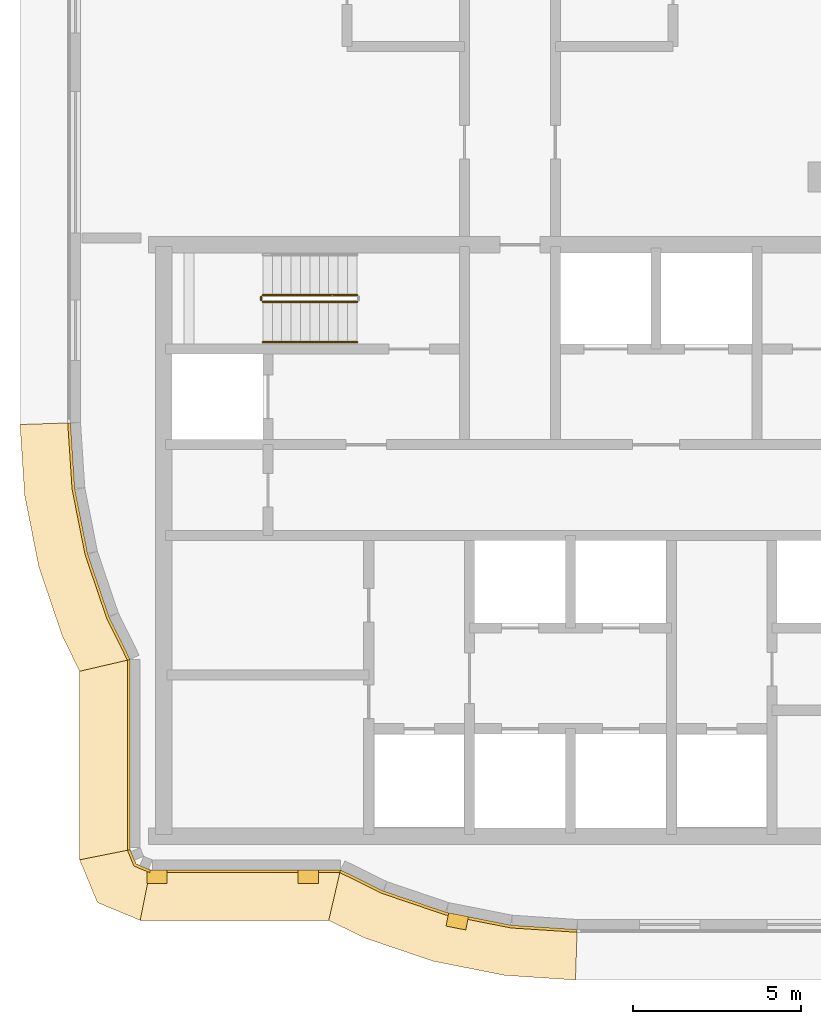
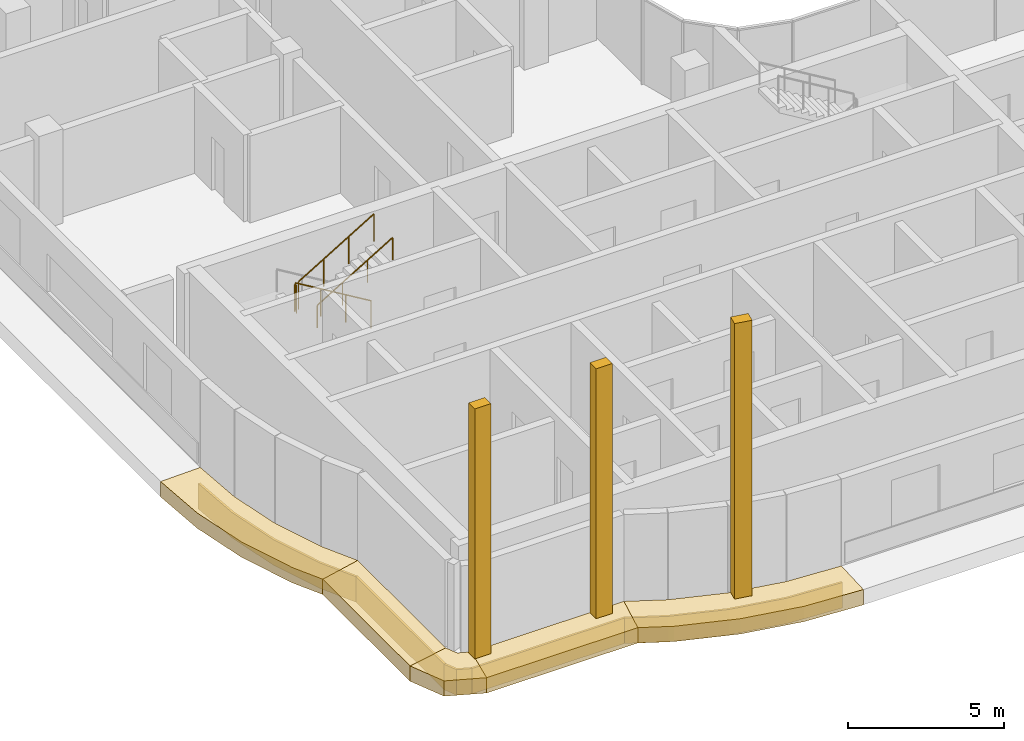
# One storey, part 15 of 20: 13 coverings, 4 railings.
"""IFC4 building model written with IfcOpenShell, lengths in metres."""

from ifc_helpers import new_model, si_unit, direction, frame, origin, origin_2d, place, context, subcontext, project, spatial, polyline, rectangle, circle, outline, extrude, material, layer, layer_set, type_object, element, save


model = new_model("IFC4")

# Units and contexts
model_context = context("Model", 3, precision=1e-05, world=origin(), true_north=direction((0.0, 1.0)))
body_context = subcontext(model_context, "Body", "Model", "MODEL_VIEW")
ifc_project = project(units=[si_unit("LENGTHUNIT", "METRE"), si_unit("AREAUNIT", "SQUARE_METRE"), si_unit("VOLUMEUNIT", "CUBIC_METRE"), si_unit("PLANEANGLEUNIT", "RADIAN"), si_unit("MASSUNIT", "GRAM", prefix="KILO")], contexts=[model_context])

# Site, building, storey
site_placement = place(None, origin())
site = spatial("IfcSite", under=ifc_project, at=site_placement, CompositionType="ELEMENT")
building_placement = place(site_placement, origin())
building = spatial("IfcBuilding", under=site, at=building_placement, Name="Ogive Portal Towers", CompositionType="ELEMENT")
storey_placement = place(building_placement, frame((0.0, 0.0, 232.800048828125)))
storey = spatial("IfcBuildingStorey", under=building, at=storey_placement, Name="L58", CompositionType="ELEMENT", Elevation=232.800048828125)

# Railings
ifc_material_1 = material(Name="Stainless steel balustrade", Category="steel")
railing_type_1 = type_object("IfcRailingType", Name="INT-GUARD", PredefinedType="GUARDRAIL", material=ifc_material_1)
railing_1_placement = place(storey_placement, frame((37.449951171875, 37.800048828125, 0.168212890625)))
element("IfcRailing", 1, at=railing_1_placement, inside=storey, type_object=railing_type_1, Name="L58 ST-A1 stair guard 1", PredefinedType="GUARDRAIL", context=body_context, shape_type="SweptSolid", body=[
    extrude(circle(Radius=0.02392578125, at=origin_2d()), frame((0.0, 0.0, 1.076171875), z_axis=(-0.857275202839, 0.0, 0.514858452973), x_axis=(0.0, -1.0, 0.0)), (0.0, 0.0, 1.0), 3.26611328125),
    extrude(circle(Radius=0.02099609375, at=origin_2d()), origin(), (0.0, 0.0, 1.0), 1.052001953125),
    extrude(circle(Radius=0.02099609375, at=origin_2d()), frame((-0.933349609375, 0.0, 0.560546875)), (0.0, 0.0, 1.0), 1.052001953125),
    extrude(circle(Radius=0.02099609375, at=origin_2d()), frame((-1.86669921875, 0.0, 1.12109375)), (0.0, 0.0, 1.0), 1.052001953125),
    extrude(circle(Radius=0.02099609375, at=origin_2d()), frame((-2.800048828125, 0.0, 1.681640625)), (0.0, 0.0, 1.0), 1.052001953125),
])
railing_2_placement = place(storey_placement, frame((34.60009765625, 37.75, 1.849853515625)))
element("IfcRailing", 2, at=railing_2_placement, inside=storey, type_object=railing_type_1, Name="L58 ST-A1 stair guard 2", PredefinedType="GUARDRAIL", context=body_context, shape_type="SweptSolid", body=[
    extrude(circle(Radius=0.02392578125, at=origin_2d()), frame((0.0, 0.0, 1.076171875), z_axis=(0.0, -1.0, 0.0), x_axis=(1.0, 0.0, 0.0)), (0.0, 0.0, 1.0), 0.10009765625),
    extrude(circle(Radius=0.02099609375, at=origin_2d()), origin(), (0.0, 0.0, 1.0), 1.052001953125),
    extrude(circle(Radius=0.02099609375, at=origin_2d()), frame((0.0, -0.10009765625, 0.0)), (0.0, 0.0, 1.0), 1.052001953125),
])
railing_3_placement = place(storey_placement, frame((34.64990234375, 37.60009765625, 2.01806640625)))
element("IfcRailing", 3, at=railing_3_placement, inside=storey, type_object=railing_type_1, Name="L58 ST-A1 stair guard 3", PredefinedType="GUARDRAIL", context=body_context, shape_type="SweptSolid", body=[
    extrude(circle(Radius=0.02392578125, at=origin_2d()), frame((0.0, 0.0, 1.076171875), z_axis=(0.857242210791, 0.0, 0.514913383045), x_axis=(0.0, 1.0, 0.0)), (0.0, 0.0, 1.0), 3.266357421875),
    extrude(circle(Radius=0.02099609375, at=origin_2d()), origin(), (0.0, 0.0, 1.0), 1.052001953125),
    extrude(circle(Radius=0.02099609375, at=origin_2d()), frame((0.933349609375, 0.0, 0.560546875)), (0.0, 0.0, 1.0), 1.052001953125),
    extrude(circle(Radius=0.02099609375, at=origin_2d()), frame((1.86669921875, 0.0, 1.121337890625)), (0.0, 0.0, 1.0), 1.052001953125),
    extrude(circle(Radius=0.02099609375, at=origin_2d()), frame((2.800048828125, 0.0, 1.681884765625)), (0.0, 0.0, 1.0), 1.052001953125),
])
ifc_material_2 = material(Name="Stainless steel handrail", Category="steel")
railing_type_2 = type_object("IfcRailingType", Name="INT-HANDRAIL", PredefinedType="HANDRAIL", material=ifc_material_2)
railing_4_placement = place(storey_placement, frame((34.64990234375, 36.39990234375, 2.01806640625)))
element("IfcRailing", 4, at=railing_4_placement, inside=storey, type_object=railing_type_2, Name="L58 ST-A1 stair handrail 2", PredefinedType="HANDRAIL", context=body_context, shape_type="SweptSolid", body=[
    extrude(circle(Radius=0.02392578125, at=origin_2d()), frame((0.0, 0.0, 0.8759765625), z_axis=(0.857242210791, 0.0, 0.514913383045), x_axis=(0.0, 1.0, 0.0)), (0.0, 0.0, 1.0), 3.266357421875),
    extrude(circle(Radius=0.02099609375, at=origin_2d()), origin(), (0.0, 0.0, 1.0), 0.851806640625),
    extrude(circle(Radius=0.02099609375, at=origin_2d()), frame((0.933349609375, 0.0, 0.560546875)), (0.0, 0.0, 1.0), 0.851806640625),
    extrude(circle(Radius=0.02099609375, at=origin_2d()), frame((1.86669921875, 0.0, 1.121337890625)), (0.0, 0.0, 1.0), 0.851806640625),
    extrude(circle(Radius=0.02099609375, at=origin_2d()), frame((2.800048828125, 0.0, 1.681884765625)), (0.0, 0.0, 1.0), 0.851806640625),
])

# Coverings
ifc_material_3 = material(Name="Limestone cladding on lightweight block wall", Category="masonry")
ifc_layer_1 = layer(ifc_material_3, 0.39990234375)
ifc_layer_set_1 = layer_set([ifc_layer_1], Name="SPINE PIER STONE")
covering_type_1 = type_object("IfcCoveringType", Name="SPINE PIER STONE", PredefinedType="CLADDING", material=ifc_layer_set_1)
for number, where, z_axis, x_axis, name in (
    (5, (31.5, 20.5, 0.0), (0.0, 0.0, 1.0), (1.0, 0.0, 0.0), "SPINE PIER"),
    (6, (36.0, 20.5, 0.0), (0.0, 0.0, 1.0), (1.0, 0.0, 0.0), "SPINE PIER"),
):
    element("IfcCovering", number, at=place(storey_placement, frame(where, z_axis=z_axis, x_axis=x_axis)), inside=storey, type_object=covering_type_1, Name=name, PredefinedType="CLADDING", context=body_context, shape_type="SweptSolid", body=[
        extrude(rectangle(XDim=0.60009765625, YDim=0.39990234375, at=origin_2d()), origin(), (0.0, 0.0, 1.0), 9.800048828125),
    ])
covering_1_placement = place(storey_placement, frame((40.431640625, 19.16845703125, 0.0), z_axis=(0.0, 0.0, 1.0), x_axis=(0.980785280403, -0.195090322016, 0.0)))
element("IfcCovering", 7, at=covering_1_placement, inside=storey, type_object=covering_type_1, Name="SPINE PIER", PredefinedType="CLADDING", context=body_context, shape_type="SweptSolid", body=[
    extrude(rectangle(XDim=0.60009765625, YDim=0.39990234375, at=origin_2d()), origin(), (0.0, 0.0, 1.0), 10.800048828125),
])
ifc_layer_2 = layer(ifc_material_3, 0.080078125)
ifc_layer_set_2 = layer_set([ifc_layer_2], Name="STONE SPANDREL 80")
covering_type_2 = type_object("IfcCoveringType", Name="STONE SPANDREL 80", PredefinedType="CLADDING", material=ifc_layer_set_2)
covering_2_placement = place(storey_placement, frame((0.0, 0.0, -1.60009765625)))
element("IfcCovering", 8, at=covering_2_placement, inside=storey, type_object=covering_type_2, Name="Stone spandrel A1-F01", PredefinedType="CLADDING", context=body_context, shape_type="SweptSolid", body=[
    extrude(outline(polyline([(30.699951171875, 26.958740234375), (30.699951171875, 21.300048828125), (30.6201171875, 21.2841796875), (30.6201171875, 26.93994140625), (30.699951171875, 26.958740234375)])), origin(), (0.0, 0.0, 1.0), 1.0),
])
covering_3_placement = place(storey_placement, frame((0.0, 0.0, -1.60009765625)))
element("IfcCovering", 9, at=covering_3_placement, inside=storey, type_object=covering_type_2, Name="Stone spandrel A1-F02", PredefinedType="CLADDING", context=body_context, shape_type="SweptSolid", body=[
    extrude(outline(polyline([(30.699951171875, 21.300048828125), (30.875732421875, 20.875732421875), (31.300048828125, 20.699951171875), (31.2841796875, 20.6201171875), (30.814453125, 20.814453125), (30.6201171875, 21.2841796875), (30.699951171875, 21.300048828125)])), origin(), (0.0, 0.0, 1.0), 1.0),
])
covering_4_placement = place(storey_placement, frame((0.0, 0.0, -1.60009765625)))
element("IfcCovering", 10, at=covering_4_placement, inside=storey, type_object=covering_type_2, Name="Stone spandrel A1-F03", PredefinedType="CLADDING", context=body_context, shape_type="SweptSolid", body=[
    extrude(outline(polyline([(31.300048828125, 20.699951171875), (36.958740234375, 20.699951171875), (36.93994140625, 20.6201171875), (31.2841796875, 20.6201171875), (31.300048828125, 20.699951171875)])), origin(), (0.0, 0.0, 1.0), 1.0),
])
covering_5_placement = place(storey_placement, frame((0.0, 0.0, -1.60009765625)))
element("IfcCovering", 11, at=covering_5_placement, inside=storey, type_object=covering_type_2, Name="Stone spandrel A1-F04", PredefinedType="CLADDING", context=body_context, shape_type="SweptSolid", body=[
    extrude(outline(polyline([(36.958740234375, 20.699951171875), (38.23095703125, 20.072509765625), (40.098388671875, 19.438720703125), (42.0322265625, 19.053955078125), (44.0, 18.925048828125), (43.997314453125, 18.844970703125), (42.02197265625, 18.974365234375), (40.07763671875, 19.361328125), (38.200439453125, 19.99853515625), (36.93994140625, 20.6201171875), (36.958740234375, 20.699951171875)])), origin(), (0.0, 0.0, 1.0), 1.0),
])
covering_6_placement = place(storey_placement, frame((0.0, 0.0, -1.60009765625)))
element("IfcCovering", 12, at=covering_6_placement, inside=storey, type_object=covering_type_2, Name="Stone spandrel A1-F14", PredefinedType="CLADDING", context=body_context, shape_type="SweptSolid", body=[
    extrude(outline(polyline([(28.925048828125, 34.0), (29.053955078125, 32.0322265625), (29.438720703125, 30.098388671875), (30.072509765625, 28.23095703125), (30.699951171875, 26.958740234375), (30.6201171875, 26.93994140625), (29.99853515625, 28.200439453125), (29.361328125, 30.07763671875), (28.974365234375, 32.02197265625), (28.844970703125, 33.997314453125), (28.925048828125, 34.0)])), origin(), (0.0, 0.0, 1.0), 1.0),
])
ifc_layer_3 = layer(ifc_material_3, 0.60009765625)
ifc_layer_set_3 = layer_set([ifc_layer_3], Name="SUNSHADE LIP 600")
covering_type_3 = type_object("IfcCoveringType", Name="SUNSHADE LIP 600", PredefinedType="CLADDING", material=ifc_layer_set_3)
covering_7_placement = place(storey_placement, frame((0.0, 0.0, -0.60009765625)))
element("IfcCovering", 13, at=covering_7_placement, inside=storey, type_object=covering_type_3, Name="Sunshade lip A1-F01", PredefinedType="CLADDING", context=body_context, shape_type="SweptSolid", body=[
    extrude(outline(polyline([(30.699951171875, 26.958740234375), (30.699951171875, 21.300048828125), (29.199951171875, 21.001708984375), (29.199951171875, 26.60888671875), (30.699951171875, 26.958740234375)])), origin(), (0.0, 0.0, 1.0), 0.60009765625),
])
covering_8_placement = place(storey_placement, frame((0.0, 0.0, -0.60009765625)))
element("IfcCovering", 14, at=covering_8_placement, inside=storey, type_object=covering_type_3, Name="Sunshade lip A1-F02", PredefinedType="CLADDING", context=body_context, shape_type="SweptSolid", body=[
    extrude(outline(polyline([(30.699951171875, 21.300048828125), (30.875732421875, 20.875732421875), (31.300048828125, 20.699951171875), (31.001708984375, 19.199951171875), (29.727783203125, 19.727783203125), (29.199951171875, 21.001708984375), (30.699951171875, 21.300048828125)])), origin(), (0.0, 0.0, 1.0), 0.60009765625),
])
covering_9_placement = place(storey_placement, frame((0.0, 0.0, -0.60009765625)))
element("IfcCovering", 15, at=covering_9_placement, inside=storey, type_object=covering_type_3, Name="Sunshade lip A1-F03", PredefinedType="CLADDING", context=body_context, shape_type="SweptSolid", body=[
    extrude(outline(polyline([(31.300048828125, 20.699951171875), (36.958740234375, 20.699951171875), (36.60888671875, 19.199951171875), (31.001708984375, 19.199951171875), (31.300048828125, 20.699951171875)])), origin(), (0.0, 0.0, 1.0), 0.60009765625),
])
covering_10_placement = place(storey_placement, frame((0.0, 0.0, -0.60009765625)))
element("IfcCovering", 16, at=covering_10_placement, inside=storey, type_object=covering_type_3, Name="Sunshade lip A1-F04", PredefinedType="CLADDING", context=body_context, shape_type="SweptSolid", body=[
    extrude(outline(polyline([(36.958740234375, 20.699951171875), (38.23095703125, 20.072509765625), (40.098388671875, 19.438720703125), (42.0322265625, 19.053955078125), (44.0, 18.925048828125), (43.950927734375, 17.425048828125), (41.836181640625, 17.563720703125), (39.709228515625, 17.986572265625), (37.65576171875, 18.683837890625), (36.60888671875, 19.199951171875), (36.958740234375, 20.699951171875)])), origin(), (0.0, 0.0, 1.0), 0.60009765625),
])
covering_11_placement = place(storey_placement, frame((0.0, 0.0, -0.60009765625)))
element("IfcCovering", 17, at=covering_11_placement, inside=storey, type_object=covering_type_3, Name="Sunshade lip A1-F14", PredefinedType="CLADDING", context=body_context, shape_type="SweptSolid", body=[
    extrude(outline(polyline([(28.925048828125, 34.0), (29.053955078125, 32.0322265625), (29.438720703125, 30.098388671875), (30.072509765625, 28.23095703125), (30.699951171875, 26.958740234375), (29.199951171875, 26.60888671875), (28.683837890625, 27.65576171875), (27.986572265625, 29.709228515625), (27.563720703125, 31.836181640625), (27.425048828125, 33.950927734375), (28.925048828125, 34.0)])), origin(), (0.0, 0.0, 1.0), 0.60009765625),
])

save(model, "model.ifc")
